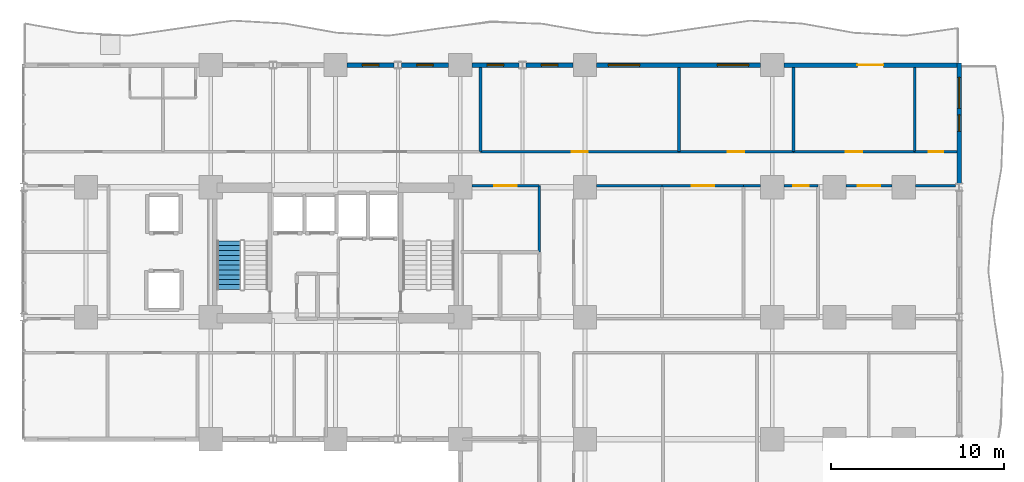
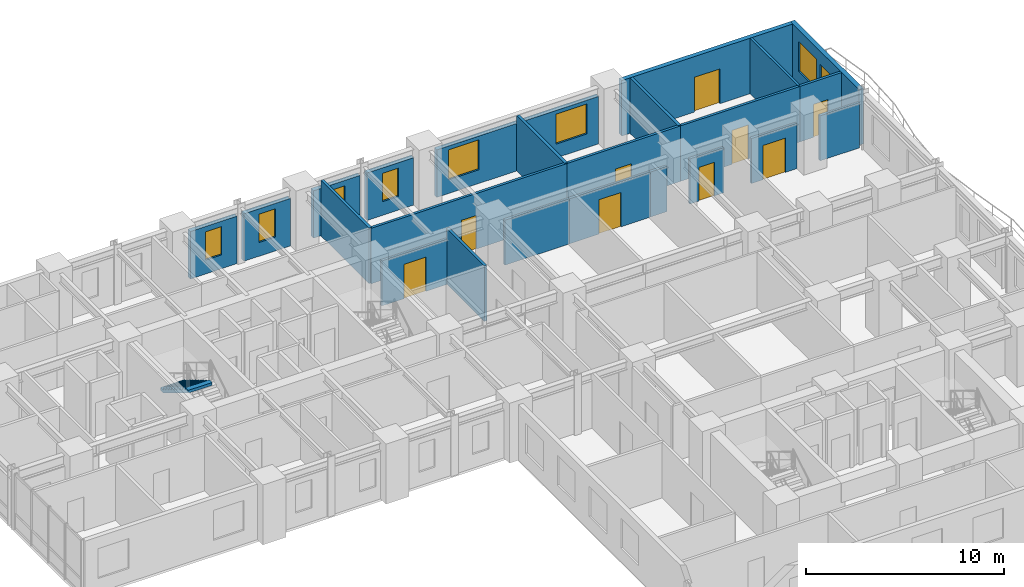
# One storey, part 15 of 19: 23 walls, 9 doors, 8 windows, 1 stair flight, 17 openings, 1 element without a shape of its own.
"""IFC4 building model written with IfcOpenShell, lengths in metres."""

from ifc_helpers import new_model, si_unit, direction, frame, frame_2d, origin, place, context, subcontext, project, spatial, polyline, rectangle, outline, extrude, material, layer, layer_set, type_object, element, fill, aggregate, save


model = new_model("IFC4")

# Units and contexts
model_context = context("Model", 3, precision=1e-05, world=origin(), true_north=direction((0.0, 1.0)))
body_context = subcontext(model_context, "Body", "Model", "MODEL_VIEW")
ifc_project = project(units=[si_unit("LENGTHUNIT", "METRE"), si_unit("AREAUNIT", "SQUARE_METRE"), si_unit("VOLUMEUNIT", "CUBIC_METRE"), si_unit("PLANEANGLEUNIT", "RADIAN"), si_unit("MASSUNIT", "GRAM", prefix="KILO")], contexts=[model_context])

# Site, building, storey
site_placement = place(None, origin())
site = spatial("IfcSite", under=ifc_project, at=site_placement, CompositionType="ELEMENT")
building_placement = place(site_placement, origin())
building = spatial("IfcBuilding", under=site, at=building_placement, Name="Kaliganga Portal Commons", CompositionType="ELEMENT")
storey_placement = place(building_placement, frame((0.0, 0.0, 47.5)))
storey = spatial("IfcBuildingStorey", under=building, at=storey_placement, Name="L11", CompositionType="ELEMENT", Elevation=47.5)

# Wall, openings, windows
ifc_material_1 = material(Name="Insulated Aluminium-Clad Spandrel Assembly", Category="aluminium")
ifc_layer_1 = layer(ifc_material_1, 0.260009765625)
ifc_layer_set_1 = layer_set([ifc_layer_1], Name="Insulated Aluminium-Clad Spandrel Assembly")
wall_type_1 = type_object("IfcWallType", Name="WL-EXT-SPAND-260", PredefinedType="STANDARD", material=ifc_layer_set_1)
wall_1_placement = place(storey_placement, frame((57.60009765625, 43.330078125, 0.0), z_axis=(0.0, 0.0, 1.0), x_axis=(0.0, -1.0, 0.0)))
wall_1 = element("IfcWall", 1, at=wall_1_placement, inside=storey, type_object=wall_type_1, Name="Exterior Envelope Wall L11 P1-E01-S6", PredefinedType="STANDARD", context=body_context, shape_type="SweptSolid", body=[
    extrude(rectangle(XDim=6.9560546875, YDim=0.260009765625, at=frame_2d((3.47802734375, 0.0))), origin(), (0.0, 0.0, 1.0), 3.429931640625),
])
opening_1_placement = place(wall_1_placement, frame((0.839111328125, 0.0, 0.85009765625)))
opening_1 = element("IfcOpeningElement", 2, at=opening_1_placement, cuts=wall_1, Name="Opening W-01", PredefinedType="OPENING", context=body_context, shape_type="SweptSolid", body=[
    extrude(rectangle(XDim=1.800048828125, YDim=1.85009765625, at=frame_2d((0.89990234375, 0.925048828125))), frame((0.0, 0.14013671875, 0.0), z_axis=(0.0, -1.0, 0.0), x_axis=(1.0, 0.0, 0.0)), (0.0, 0.0, 1.0), 0.280029296875),
])
opening_2_placement = place(wall_1_placement, frame((3.0029296875, 0.0, 0.85009765625)))
opening_2 = element("IfcOpeningElement", 3, at=opening_2_placement, cuts=wall_1, Name="Opening W-04", PredefinedType="OPENING", context=body_context, shape_type="SweptSolid", body=[
    extrude(rectangle(XDim=0.949951171875, YDim=1.75, at=frame_2d((0.47509765625, 0.875))), frame((0.0, 0.14013671875, 0.0), z_axis=(0.0, -1.0, 0.0), x_axis=(1.0, 0.0, 0.0)), (0.0, 0.0, 1.0), 0.280029296875),
])
ifc_material_2 = material(Name="Thermally Broken Aluminium and Low-E Double Glazing", Category="aluminium")
window_type_1 = type_object("IfcWindowType", Name="WIN-NARROW-950", PartitioningType="SINGLE_PANEL", PredefinedType="WINDOW", material=ifc_material_2)
window_1_placement = place(opening_2_placement, origin())
window_1 = element("IfcWindow", 4, at=window_1_placement, inside=storey, type_object=window_type_1, Name="Facade Window L11-P1E01S6-N0", OverallHeight=1.75, OverallWidth=0.949951171875, PartitioningType="SINGLE_PANEL", PredefinedType="WINDOW", context=body_context, shape_type="SweptSolid", body=[
    extrude(rectangle(XDim=0.949951171875, YDim=1.75, at=frame_2d((0.47509765625, 0.875))), frame((0.0, 0.030029296875, 0.0), z_axis=(0.0, -1.0, 0.0), x_axis=(1.0, 0.0, 0.0)), (0.0, 0.0, 1.0), 0.06005859375),
])
fill(opening_2, window_1)
window_type_2 = type_object("IfcWindowType", Name="WIN-STD-1800", PartitioningType="DOUBLE_PANEL_VERTICAL", PredefinedType="WINDOW", material=ifc_material_2)
window_2_placement = place(opening_1_placement, origin())
window_2 = element("IfcWindow", 5, at=window_2_placement, inside=storey, type_object=window_type_2, Name="Facade Window L11-P1E01S6-00", OverallHeight=1.85009765625, OverallWidth=1.800048828125, PartitioningType="SINGLE_PANEL", PredefinedType="WINDOW", context=body_context, shape_type="SweptSolid", body=[
    extrude(rectangle(XDim=1.800048828125, YDim=1.85009765625, at=frame_2d((0.89990234375, 0.925048828125))), frame((0.0, 0.030029296875, 0.0), z_axis=(0.0, -1.0, 0.0), x_axis=(1.0, 0.0, 0.0)), (0.0, 0.0, 1.0), 0.06005859375),
])
fill(opening_1, window_2)

# Wall, opening, door
wall_2_placement = place(storey_placement, frame((47.47607421875, 43.199951171875, 0.0), z_axis=(0.0, 0.0, 1.0), x_axis=(1.0, 0.0, 0.0)))
wall_2 = element("IfcWall", 6, at=wall_2_placement, inside=storey, type_object=wall_type_1, Name="Exterior Envelope Wall L11 P1-E02-S1", PredefinedType="STANDARD", context=body_context, shape_type="SweptSolid", body=[
    extrude(rectangle(XDim=9.989013671875, YDim=0.260009765625, at=frame_2d((4.99462890625, 0.0))), origin(), (0.0, 0.0, 1.0), 3.429931640625),
])
opening_3_placement = place(wall_2_placement, frame((4.2451171875, 0.0, 0.0)))
opening_3 = element("IfcOpeningElement", 7, at=opening_3_placement, cuts=wall_2, Name="Opening BD-01", PredefinedType="OPENING", context=body_context, shape_type="SweptSolid", body=[
    extrude(rectangle(XDim=1.5, YDim=2.14990234375, at=frame_2d((0.75, 1.074951171875))), frame((0.0, 0.14013671875, 0.0), z_axis=(0.0, -1.0, 0.0), x_axis=(1.0, 0.0, 0.0)), (0.0, 0.0, 1.0), 0.280029296875),
])
ifc_material_3 = material(Name="Anodized Aluminium and Laminated Safety Glass", Category="aluminium")
door_type_1 = type_object("IfcDoorType", Name="DR-BALC-1500", OperationType="SLIDING_TO_LEFT", PredefinedType="DOOR", material=ifc_material_3)
door_1_placement = place(opening_3_placement, origin())
door_1 = element("IfcDoor", 8, at=door_1_placement, inside=storey, type_object=door_type_1, Name="Balcony Sliding Door L11 balc_north", OperationType="SLIDING_TO_LEFT", OverallHeight=2.14990234375, OverallWidth=1.5, PredefinedType="DOOR", context=body_context, shape_type="SweptSolid", body=[
    extrude(rectangle(XDim=1.5, YDim=2.14990234375, at=frame_2d((0.75, 1.074951171875))), frame((0.0, 0.02490234375, 0.0), z_axis=(0.0, -1.0, 0.0), x_axis=(1.0, 0.0, 0.0)), (0.0, 0.0, 1.0), 0.050048828125),
])
fill(opening_3, door_1)

# Wall, openings, windows
wall_3_placement = place(storey_placement, frame((36.676025390625, 43.199951171875, 0.0), z_axis=(0.0, 0.0, 1.0), x_axis=(1.0, 0.0, 0.0)))
wall_3 = element("IfcWall", 9, at=wall_3_placement, inside=storey, type_object=wall_type_1, Name="Exterior Envelope Wall L11 P1-E02-S2", PredefinedType="STANDARD", context=body_context, shape_type="SweptSolid", body=[
    extrude(rectangle(XDim=9.447998046875, YDim=0.260009765625, at=frame_2d((4.72412109375, 0.0))), origin(), (0.0, 0.0, 1.0), 2.929931640625),
])
opening_4_placement = place(wall_3_placement, frame((0.6748046875, 0.0, 0.85009765625)))
opening_4 = element("IfcOpeningElement", 10, at=opening_4_placement, cuts=wall_3, Name="Opening W-01", PredefinedType="OPENING", context=body_context, shape_type="SweptSolid", body=[
    extrude(rectangle(XDim=1.800048828125, YDim=1.85009765625, at=frame_2d((0.89990234375, 0.925048828125))), frame((0.0, 0.14013671875, 0.0), z_axis=(0.0, -1.0, 0.0), x_axis=(1.0, 0.0, 0.0)), (0.0, 0.0, 1.0), 0.280029296875),
])
opening_5_placement = place(wall_3_placement, frame((6.973388671875, 0.0, 0.85009765625)))
opening_5 = element("IfcOpeningElement", 11, at=opening_5_placement, cuts=wall_3, Name="Opening W-01", PredefinedType="OPENING", context=body_context, shape_type="SweptSolid", body=[
    extrude(rectangle(XDim=1.800048828125, YDim=1.85009765625, at=frame_2d((0.89990234375, 0.925048828125))), frame((0.0, 0.14013671875, 0.0), z_axis=(0.0, -1.0, 0.0), x_axis=(1.0, 0.0, 0.0)), (0.0, 0.0, 1.0), 0.280029296875),
])
window_3_placement = place(opening_4_placement, origin())
window_3 = element("IfcWindow", 12, at=window_3_placement, inside=storey, type_object=window_type_2, Name="Facade Window L11-P1E02S2-00", OverallHeight=1.85009765625, OverallWidth=1.800048828125, PartitioningType="SINGLE_PANEL", PredefinedType="WINDOW", context=body_context, shape_type="SweptSolid", body=[
    extrude(rectangle(XDim=1.800048828125, YDim=1.85009765625, at=frame_2d((0.89990234375, 0.925048828125))), frame((0.0, 0.030029296875, 0.0), z_axis=(0.0, -1.0, 0.0), x_axis=(1.0, 0.0, 0.0)), (0.0, 0.0, 1.0), 0.06005859375),
])
fill(opening_4, window_3)
window_4_placement = place(opening_5_placement, origin())
window_4 = element("IfcWindow", 13, at=window_4_placement, inside=storey, type_object=window_type_2, Name="Facade Window L11-P1E02S2-02", OverallHeight=1.85009765625, OverallWidth=1.800048828125, PartitioningType="SINGLE_PANEL", PredefinedType="WINDOW", context=body_context, shape_type="SweptSolid", body=[
    extrude(rectangle(XDim=1.800048828125, YDim=1.85009765625, at=frame_2d((0.89990234375, 0.925048828125))), frame((0.0, 0.030029296875, 0.0), z_axis=(0.0, -1.0, 0.0), x_axis=(1.0, 0.0, 0.0)), (0.0, 0.0, 1.0), 0.06005859375),
])
fill(opening_5, window_4)

# Wall, opening, window
wall_4_placement = place(storey_placement, frame((32.60888671875, 43.199951171875, 0.0), z_axis=(0.0, 0.0, 1.0), x_axis=(1.0, 0.0, 0.0)))
wall_4 = element("IfcWall", 14, at=wall_4_placement, inside=storey, type_object=wall_type_1, Name="Exterior Envelope Wall L11 P1-E02-S3", PredefinedType="STANDARD", context=body_context, shape_type="SweptSolid", body=[
    extrude(rectangle(XDim=2.715087890625, YDim=0.260009765625, at=frame_2d((1.357421875, 0.0))), origin(), (0.0, 0.0, 1.0), 2.929931640625),
])
opening_6_placement = place(wall_4_placement, frame((0.882568359375, 0.0, 0.85009765625)))
opening_6 = element("IfcOpeningElement", 15, at=opening_6_placement, cuts=wall_4, Name="Opening W-04", PredefinedType="OPENING", context=body_context, shape_type="SweptSolid", body=[
    extrude(rectangle(XDim=0.949951171875, YDim=1.75, at=frame_2d((0.47509765625, 0.875))), frame((0.0, 0.14013671875, 0.0), z_axis=(0.0, -1.0, 0.0), x_axis=(1.0, 0.0, 0.0)), (0.0, 0.0, 1.0), 0.280029296875),
])
window_5_placement = place(opening_6_placement, origin())
window_5 = element("IfcWindow", 16, at=window_5_placement, inside=storey, type_object=window_type_1, Name="Facade Window L11-P1E02S3-00", OverallHeight=1.75, OverallWidth=0.949951171875, PartitioningType="SINGLE_PANEL", PredefinedType="WINDOW", context=body_context, shape_type="SweptSolid", body=[
    extrude(rectangle(XDim=0.949951171875, YDim=1.75, at=frame_2d((0.47509765625, 0.875))), frame((0.0, 0.030029296875, 0.0), z_axis=(0.0, -1.0, 0.0), x_axis=(1.0, 0.0, 0.0)), (0.0, 0.0, 1.0), 0.06005859375),
])
fill(opening_6, window_5)

wall_5_placement = place(storey_placement, frame((29.47607421875, 43.199951171875, 0.0), z_axis=(0.0, 0.0, 1.0), x_axis=(1.0, 0.0, 0.0)))
wall_5 = element("IfcWall", 17, at=wall_5_placement, inside=storey, type_object=wall_type_1, Name="Exterior Envelope Wall L11 P1-E02-S4", PredefinedType="STANDARD", context=body_context, shape_type="SweptSolid", body=[
    extrude(rectangle(XDim=2.71484375, YDim=0.260009765625, at=frame_2d((1.357421875, 0.0))), origin(), (0.0, 0.0, 1.0), 2.929931640625),
])
opening_7_placement = place(wall_5_placement, frame((0.882568359375, 0.0, 0.85009765625)))
opening_7 = element("IfcOpeningElement", 18, at=opening_7_placement, cuts=wall_5, Name="Opening W-04", PredefinedType="OPENING", context=body_context, shape_type="SweptSolid", body=[
    extrude(rectangle(XDim=0.949951171875, YDim=1.75, at=frame_2d((0.47509765625, 0.875))), frame((0.0, 0.14013671875, 0.0), z_axis=(0.0, -1.0, 0.0), x_axis=(1.0, 0.0, 0.0)), (0.0, 0.0, 1.0), 0.280029296875),
])
window_6_placement = place(opening_7_placement, origin())
window_6 = element("IfcWindow", 19, at=window_6_placement, inside=storey, type_object=window_type_1, Name="Facade Window L11-P1E02S4-00", OverallHeight=1.75, OverallWidth=0.949951171875, PartitioningType="SINGLE_PANEL", PredefinedType="WINDOW", context=body_context, shape_type="SweptSolid", body=[
    extrude(rectangle(XDim=0.949951171875, YDim=1.75, at=frame_2d((0.47509765625, 0.875))), frame((0.0, 0.030029296875, 0.0), z_axis=(0.0, -1.0, 0.0), x_axis=(1.0, 0.0, 0.0)), (0.0, 0.0, 1.0), 0.06005859375),
])
fill(opening_7, window_6)

wall_6_placement = place(storey_placement, frame((25.408935546875, 43.199951171875, 0.0), z_axis=(0.0, 0.0, 1.0), x_axis=(1.0, 0.0, 0.0)))
wall_6 = element("IfcWall", 20, at=wall_6_placement, inside=storey, type_object=wall_type_1, Name="Exterior Envelope Wall L11 P1-E02-S5", PredefinedType="STANDARD", context=body_context, shape_type="SweptSolid", body=[
    extrude(rectangle(XDim=2.715087890625, YDim=0.260009765625, at=frame_2d((1.357421875, 0.0))), origin(), (0.0, 0.0, 1.0), 2.929931640625),
])
opening_8_placement = place(wall_6_placement, frame((0.882568359375, 0.0, 0.85009765625)))
opening_8 = element("IfcOpeningElement", 21, at=opening_8_placement, cuts=wall_6, Name="Opening W-04", PredefinedType="OPENING", context=body_context, shape_type="SweptSolid", body=[
    extrude(rectangle(XDim=0.949951171875, YDim=1.75, at=frame_2d((0.47509765625, 0.875))), frame((0.0, 0.14013671875, 0.0), z_axis=(0.0, -1.0, 0.0), x_axis=(1.0, 0.0, 0.0)), (0.0, 0.0, 1.0), 0.280029296875),
])
window_7_placement = place(opening_8_placement, origin())
window_7 = element("IfcWindow", 22, at=window_7_placement, inside=storey, type_object=window_type_1, Name="Facade Window L11-P1E02S5-00", OverallHeight=1.75, OverallWidth=0.949951171875, PartitioningType="SINGLE_PANEL", PredefinedType="WINDOW", context=body_context, shape_type="SweptSolid", body=[
    extrude(rectangle(XDim=0.949951171875, YDim=1.75, at=frame_2d((0.47509765625, 0.875))), frame((0.0, 0.030029296875, 0.0), z_axis=(0.0, -1.0, 0.0), x_axis=(1.0, 0.0, 0.0)), (0.0, 0.0, 1.0), 0.06005859375),
])
fill(opening_8, window_7)

wall_7_placement = place(storey_placement, frame((22.27587890625, 43.199951171875, 0.0), z_axis=(0.0, 0.0, 1.0), x_axis=(1.0, 0.0, 0.0)))
wall_7 = element("IfcWall", 23, at=wall_7_placement, inside=storey, type_object=wall_type_1, Name="Exterior Envelope Wall L11 P1-E02-S6", PredefinedType="STANDARD", context=body_context, shape_type="SweptSolid", body=[
    extrude(rectangle(XDim=2.715087890625, YDim=0.260009765625, at=frame_2d((1.357421875, 0.0))), origin(), (0.0, 0.0, 1.0), 2.929931640625),
])
opening_9_placement = place(wall_7_placement, frame((0.882568359375, 0.0, 0.85009765625)))
opening_9 = element("IfcOpeningElement", 24, at=opening_9_placement, cuts=wall_7, Name="Opening W-04", PredefinedType="OPENING", context=body_context, shape_type="SweptSolid", body=[
    extrude(rectangle(XDim=0.949951171875, YDim=1.75, at=frame_2d((0.47509765625, 0.875))), frame((0.0, 0.14013671875, 0.0), z_axis=(0.0, -1.0, 0.0), x_axis=(1.0, 0.0, 0.0)), (0.0, 0.0, 1.0), 0.280029296875),
])
window_8_placement = place(opening_9_placement, origin())
window_8 = element("IfcWindow", 25, at=window_8_placement, inside=storey, type_object=window_type_1, Name="Facade Window L11-P1E02S6-00", OverallHeight=1.75, OverallWidth=0.949951171875, PartitioningType="SINGLE_PANEL", PredefinedType="WINDOW", context=body_context, shape_type="SweptSolid", body=[
    extrude(rectangle(XDim=0.949951171875, YDim=1.75, at=frame_2d((0.47509765625, 0.875))), frame((0.0, 0.030029296875, 0.0), z_axis=(0.0, -1.0, 0.0), x_axis=(1.0, 0.0, 0.0)), (0.0, 0.0, 1.0), 0.06005859375),
])
fill(opening_9, window_8)

# Wall, opening, door
ifc_material_4 = material(Name="Fire-Rated Gypsum Board on Steel Stud", Category="steel")
ifc_layer_2 = layer(ifc_material_4, 0.14990234375)
ifc_layer_set_2 = layer_set([ifc_layer_2], Name="Fire-Rated Gypsum Board on Steel Stud")
wall_type_2 = type_object("IfcWallType", Name="WL-PART-CORR-150", PredefinedType="PARTITIONING", material=ifc_layer_set_2)
wall_8_placement = place(storey_placement, frame((29.97998046875, 38.199951171875, 0.0), z_axis=(0.0, 0.0, 1.0), x_axis=(1.0, 0.0, 0.0)))
wall_8 = element("IfcWall", 26, at=wall_8_placement, inside=storey, type_object=wall_type_2, Name="Interior Partition L11-007", PredefinedType="PARTITIONING", context=body_context, shape_type="SweptSolid", body=[
    extrude(rectangle(XDim=11.43994140625, YDim=0.14990234375, at=frame_2d((5.719970703125, 0.0))), origin(), (0.0, 0.0, 1.0), 3.429931640625),
])
opening_10_placement = place(wall_8_placement, frame((5.27001953125, 0.0, 0.0)))
opening_10 = element("IfcOpeningElement", 27, at=opening_10_placement, cuts=wall_8, Name="Opening RD-01", PredefinedType="OPENING", context=body_context, shape_type="SweptSolid", body=[
    extrude(rectangle(XDim=0.89990234375, YDim=2.080078125, at=frame_2d((0.449951171875, 1.0400390625))), frame((0.0, 0.0849609375, 0.0), z_axis=(0.0, -1.0, 0.0), x_axis=(1.0, 0.0, 0.0)), (0.0, 0.0, 1.0), 0.169921875),
])
ifc_material_5 = material(Name="Engineered Timber Flush Door", Category="wood")
door_type_2 = type_object("IfcDoorType", Name="DR-ROOM-900", OperationType="NOTDEFINED", PredefinedType="DOOR", material=ifc_material_5)
door_2_placement = place(opening_10_placement, origin())
door_2 = element("IfcDoor", 28, at=door_2_placement, inside=storey, type_object=door_type_2, Name="Interior Door L11-AN04", OperationType="SINGLE_SWING_RIGHT", OverallHeight=2.080078125, OverallWidth=0.89990234375, PredefinedType="DOOR", context=body_context, shape_type="SweptSolid", body=[
    extrude(rectangle(XDim=0.89990234375, YDim=2.080078125, at=frame_2d((0.449951171875, 1.0400390625))), frame((0.0, 0.02490234375, 0.0), z_axis=(0.0, -1.0, 0.0), x_axis=(1.0, 0.0, 0.0)), (0.0, 0.0, 1.0), 0.050048828125),
])
fill(opening_10, door_2)

wall_9_placement = place(storey_placement, frame((51.074951171875, 36.239990234375, 0.0), z_axis=(0.0, 0.0, 1.0), x_axis=(1.0, 0.0, 0.0)))
wall_9 = element("IfcWall", 29, at=wall_9_placement, inside=storey, type_object=wall_type_2, Name="Interior Partition L11-015", PredefinedType="PARTITIONING", context=body_context, shape_type="SweptSolid", body=[
    extrude(rectangle(XDim=2.650146484375, YDim=0.14990234375, at=frame_2d((1.3251953125, 0.0))), origin(), (0.0, 0.0, 1.0), 2.780029296875),
])
opening_11_placement = place(wall_9_placement, frame((0.675048828125, 0.0, 0.0)))
opening_11 = element("IfcOpeningElement", 30, at=opening_11_placement, cuts=wall_9, Name="Opening RD-03", PredefinedType="OPENING", context=body_context, shape_type="SweptSolid", body=[
    extrude(rectangle(XDim=1.300048828125, YDim=2.1201171875, at=frame_2d((0.64990234375, 1.06005859375))), frame((0.0, 0.0849609375, 0.0), z_axis=(0.0, -1.0, 0.0), x_axis=(1.0, 0.0, 0.0)), (0.0, 0.0, 1.0), 0.169921875),
])
ifc_material_6 = material(Name="Glazed Timber Seminar Vision Door", Category="wood")
door_type_3 = type_object("IfcDoorType", Name="DR-STUDY-1300", OperationType="DOUBLE_DOOR_SINGLE_SWING", PredefinedType="DOOR", material=ifc_material_6)
door_3_placement = place(opening_11_placement, origin())
door_3 = element("IfcDoor", 31, at=door_3_placement, inside=storey, type_object=door_type_3, Name="Interior Door L11-BK04", OperationType="DOUBLE_DOOR_SINGLE_SWING", OverallHeight=2.1201171875, OverallWidth=1.300048828125, PredefinedType="DOOR", context=body_context, shape_type="SweptSolid", body=[
    extrude(rectangle(XDim=1.300048828125, YDim=2.1201171875, at=frame_2d((0.64990234375, 1.06005859375))), frame((0.0, 0.02490234375, 0.0), z_axis=(0.0, -1.0, 0.0), x_axis=(1.0, 0.0, 0.0)), (0.0, 0.0, 1.0), 0.050048828125),
])
fill(opening_11, door_3)

# Wall
wall_10_placement = place(storey_placement, frame((55.074951171875, 36.239990234375, 0.0), z_axis=(0.0, 0.0, 1.0), x_axis=(1.0, 0.0, 0.0)))
element("IfcWall", 32, at=wall_10_placement, inside=storey, type_object=wall_type_2, Name="Interior Partition L11-016", PredefinedType="PARTITIONING", context=body_context, shape_type="SweptSolid", body=[
    extrude(rectangle(XDim=2.317138671875, YDim=0.14990234375, at=frame_2d((1.15869140625, 0.0))), origin(), (0.0, 0.0, 1.0), 2.780029296875),
])

# Wall, opening, door
wall_11_placement = place(storey_placement, frame((48.0400390625, 38.199951171875, 0.0), z_axis=(0.0, 0.0, 1.0), x_axis=(1.0, 0.0, 0.0)))
wall_11 = element("IfcWall", 33, at=wall_11_placement, inside=storey, type_object=wall_type_2, Name="Interior Partition L11-025", PredefinedType="PARTITIONING", context=body_context, shape_type="SweptSolid", body=[
    extrude(rectangle(XDim=7.0, YDim=0.14990234375, at=frame_2d((3.5, 0.0))), origin(), (0.0, 0.0, 1.0), 3.429931640625),
])
opening_12_placement = place(wall_11_placement, frame((3.02490234375, 0.0, 0.0)))
opening_12 = element("IfcOpeningElement", 34, at=opening_12_placement, cuts=wall_11, Name="Opening UD-01", PredefinedType="OPENING", context=body_context, shape_type="SweptSolid", body=[
    extrude(rectangle(XDim=0.949951171875, YDim=2.10009765625, at=frame_2d((0.47509765625, 1.050048828125))), frame((0.0, 0.0849609375, 0.0), z_axis=(0.0, -1.0, 0.0), x_axis=(1.0, 0.0, 0.0)), (0.0, 0.0, 1.0), 0.169921875),
])
ifc_material_7 = material(Name="Solid-Core Timber Acoustic Fire Door", Category="wood")
door_type_4 = type_object("IfcDoorType", Name="DR-UNIT-950", OperationType="NOTDEFINED", PredefinedType="DOOR", material=ifc_material_7)
door_4_placement = place(opening_12_placement, origin())
door_4 = element("IfcDoor", 35, at=door_4_placement, inside=storey, type_object=door_type_4, Name="Interior Door L11-AN06", OperationType="SINGLE_SWING_LEFT", OverallHeight=2.10009765625, OverallWidth=0.949951171875, PredefinedType="DOOR", context=body_context, shape_type="SweptSolid", body=[
    extrude(rectangle(XDim=0.949951171875, YDim=2.10009765625, at=frame_2d((0.47509765625, 1.050048828125))), frame((0.0, 0.02490234375, 0.0), z_axis=(0.0, -1.0, 0.0), x_axis=(1.0, 0.0, 0.0)), (0.0, 0.0, 1.0), 0.050048828125),
])
fill(opening_12, door_4)

wall_12_placement = place(storey_placement, frame((41.419921875, 38.199951171875, 0.0), z_axis=(0.0, 0.0, 1.0), x_axis=(1.0, 0.0, 0.0)))
wall_12 = element("IfcWall", 36, at=wall_12_placement, inside=storey, type_object=wall_type_2, Name="Interior Partition L11-026", PredefinedType="PARTITIONING", context=body_context, shape_type="SweptSolid", body=[
    extrude(rectangle(XDim=6.6201171875, YDim=0.14990234375, at=frame_2d((3.31005859375, 0.0))), origin(), (0.0, 0.0, 1.0), 3.429931640625),
])
opening_13_placement = place(wall_12_placement, frame((2.8349609375, 0.0, 0.0)))
opening_13 = element("IfcOpeningElement", 37, at=opening_13_placement, cuts=wall_12, Name="Opening UD-01", PredefinedType="OPENING", context=body_context, shape_type="SweptSolid", body=[
    extrude(rectangle(XDim=0.949951171875, YDim=2.10009765625, at=frame_2d((0.47509765625, 1.050048828125))), frame((0.0, 0.0849609375, 0.0), z_axis=(0.0, -1.0, 0.0), x_axis=(1.0, 0.0, 0.0)), (0.0, 0.0, 1.0), 0.169921875),
])
door_5_placement = place(opening_13_placement, origin())
door_5 = element("IfcDoor", 38, at=door_5_placement, inside=storey, type_object=door_type_4, Name="Interior Door L11-AN05", OperationType="SINGLE_SWING_RIGHT", OverallHeight=2.10009765625, OverallWidth=0.949951171875, PredefinedType="DOOR", context=body_context, shape_type="SweptSolid", body=[
    extrude(rectangle(XDim=0.949951171875, YDim=2.10009765625, at=frame_2d((0.47509765625, 1.050048828125))), frame((0.0, 0.02490234375, 0.0), z_axis=(0.0, -1.0, 0.0), x_axis=(1.0, 0.0, 0.0)), (0.0, 0.0, 1.0), 0.050048828125),
])
fill(opening_13, door_5)

# Wall
wall_13_placement = place(storey_placement, frame((36.675048828125, 36.239990234375, 0.0), z_axis=(0.0, 0.0, 1.0), x_axis=(1.0, 0.0, 0.0)))
element("IfcWall", 39, at=wall_13_placement, inside=storey, type_object=wall_type_2, Name="Interior Partition L11-033", PredefinedType="PARTITIONING", context=body_context, shape_type="SweptSolid", body=[
    extrude(rectangle(XDim=3.764892578125, YDim=0.14990234375, at=frame_2d((1.88232421875, 0.0))), origin(), (0.0, 0.0, 1.0), 2.780029296875),
])

# Wall, opening, door
wall_14_placement = place(storey_placement, frame((40.43994140625, 36.239990234375, 0.0), z_axis=(0.0, 0.0, 1.0), x_axis=(1.0, 0.0, 0.0)))
wall_14 = element("IfcWall", 40, at=wall_14_placement, inside=storey, type_object=wall_type_2, Name="Interior Partition L11-040", PredefinedType="PARTITIONING", context=body_context, shape_type="SweptSolid", body=[
    extrude(rectangle(XDim=4.719970703125, YDim=0.14990234375, at=frame_2d((2.35986328125, 0.0))), origin(), (0.0, 0.0, 1.0), 2.780029296875),
])
opening_14_placement = place(wall_14_placement, frame((1.7099609375, 0.0, 0.0)))
opening_14 = element("IfcOpeningElement", 41, at=opening_14_placement, cuts=wall_14, Name="Opening RD-03", PredefinedType="OPENING", context=body_context, shape_type="SweptSolid", body=[
    extrude(rectangle(XDim=1.300048828125, YDim=2.1201171875, at=frame_2d((0.64990234375, 1.06005859375))), frame((0.0, 0.0849609375, 0.0), z_axis=(0.0, -1.0, 0.0), x_axis=(1.0, 0.0, 0.0)), (0.0, 0.0, 1.0), 0.169921875),
])
door_6_placement = place(opening_14_placement, origin())
door_6 = element("IfcDoor", 42, at=door_6_placement, inside=storey, type_object=door_type_3, Name="Interior Door L11-BK02", OperationType="DOUBLE_DOOR_SINGLE_SWING", OverallHeight=2.1201171875, OverallWidth=1.300048828125, PredefinedType="DOOR", context=body_context, shape_type="SweptSolid", body=[
    extrude(rectangle(XDim=1.300048828125, YDim=2.1201171875, at=frame_2d((0.64990234375, 1.06005859375))), frame((0.0, 0.02490234375, 0.0), z_axis=(0.0, -1.0, 0.0), x_axis=(1.0, 0.0, 0.0)), (0.0, 0.0, 1.0), 0.050048828125),
])
fill(opening_14, door_6)

wall_15_placement = place(storey_placement, frame((29.47509765625, 36.239990234375, 0.0), z_axis=(0.0, 0.0, 1.0), x_axis=(1.0, 0.0, 0.0)))
wall_15 = element("IfcWall", 43, at=wall_15_placement, inside=storey, type_object=wall_type_2, Name="Interior Partition L11-042", PredefinedType="PARTITIONING", context=body_context, shape_type="SweptSolid", body=[
    extrude(rectangle(XDim=3.885009765625, YDim=0.14990234375, at=frame_2d((1.9423828125, 0.0))), origin(), (0.0, 0.0, 1.0), 2.780029296875),
])
opening_15_placement = place(wall_15_placement, frame((1.29248046875, 0.0, 0.0)))
opening_15 = element("IfcOpeningElement", 44, at=opening_15_placement, cuts=wall_15, Name="Opening RD-03", PredefinedType="OPENING", context=body_context, shape_type="SweptSolid", body=[
    extrude(rectangle(XDim=1.300048828125, YDim=2.1201171875, at=frame_2d((0.64990234375, 1.06005859375))), frame((0.0, 0.0849609375, 0.0), z_axis=(0.0, -1.0, 0.0), x_axis=(1.0, 0.0, 0.0)), (0.0, 0.0, 1.0), 0.169921875),
])
door_7_placement = place(opening_15_placement, origin())
door_7 = element("IfcDoor", 45, at=door_7_placement, inside=storey, type_object=door_type_3, Name="Interior Door L11-CSRV_A2", OperationType="DOUBLE_DOOR_SINGLE_SWING", OverallHeight=2.1201171875, OverallWidth=1.300048828125, PredefinedType="DOOR", context=body_context, shape_type="SweptSolid", body=[
    extrude(rectangle(XDim=1.300048828125, YDim=2.1201171875, at=frame_2d((0.64990234375, 1.06005859375))), frame((0.0, 0.02490234375, 0.0), z_axis=(0.0, -1.0, 0.0), x_axis=(1.0, 0.0, 0.0)), (0.0, 0.0, 1.0), 0.050048828125),
])
fill(opening_15, door_7)

# Wall
wall_16_placement = place(storey_placement, frame((45.159912109375, 36.239990234375, 0.0), z_axis=(0.0, 0.0, 1.0), x_axis=(1.0, 0.0, 0.0)))
element("IfcWall", 46, at=wall_16_placement, inside=storey, type_object=wall_type_2, Name="Interior Partition L11-043", PredefinedType="PARTITIONING", context=body_context, shape_type="SweptSolid", body=[
    extrude(rectangle(XDim=0.965087890625, YDim=0.14990234375, at=frame_2d((0.482421875, 0.0))), origin(), (0.0, 0.0, 1.0), 2.780029296875),
])

# Wall, opening, door
wall_17_placement = place(storey_placement, frame((47.47509765625, 36.239990234375, 0.0), z_axis=(0.0, 0.0, 1.0), x_axis=(1.0, 0.0, 0.0)))
wall_17 = element("IfcWall", 47, at=wall_17_placement, inside=storey, type_object=wall_type_2, Name="Interior Partition L11-044", PredefinedType="PARTITIONING", context=body_context, shape_type="SweptSolid", body=[
    extrude(rectangle(XDim=1.98486328125, YDim=0.14990234375, at=frame_2d((0.992431640625, 0.0))), origin(), (0.0, 0.0, 1.0), 2.780029296875),
])
opening_16_placement = place(wall_17_placement, frame((0.54248046875, 0.0, 0.0)))
opening_16 = element("IfcOpeningElement", 48, at=opening_16_placement, cuts=wall_17, Name="Opening RD-01", PredefinedType="OPENING", context=body_context, shape_type="SweptSolid", body=[
    extrude(rectangle(XDim=0.89990234375, YDim=2.080078125, at=frame_2d((0.449951171875, 1.0400390625))), frame((0.0, 0.0849609375, 0.0), z_axis=(0.0, -1.0, 0.0), x_axis=(1.0, 0.0, 0.0)), (0.0, 0.0, 1.0), 0.169921875),
])
door_8_placement = place(opening_16_placement, origin())
door_8 = element("IfcDoor", 49, at=door_8_placement, inside=storey, type_object=door_type_2, Name="Interior Door L11-BK03", OperationType="SINGLE_SWING_RIGHT", OverallHeight=2.080078125, OverallWidth=0.89990234375, PredefinedType="DOOR", context=body_context, shape_type="SweptSolid", body=[
    extrude(rectangle(XDim=0.89990234375, YDim=2.080078125, at=frame_2d((0.449951171875, 1.0400390625))), frame((0.0, 0.02490234375, 0.0), z_axis=(0.0, -1.0, 0.0), x_axis=(1.0, 0.0, 0.0)), (0.0, 0.0, 1.0), 0.050048828125),
])
fill(opening_16, door_8)

# Wall
wall_18_placement = place(storey_placement, frame((33.360107421875, 32.39990234375, 0.0), z_axis=(0.0, 0.0, 1.0), x_axis=(0.0, 1.0, 0.0)))
element("IfcWall", 50, at=wall_18_placement, inside=storey, type_object=wall_type_2, Name="Interior Partition L11-046", PredefinedType="PARTITIONING", context=body_context, shape_type="SweptSolid", body=[
    extrude(rectangle(XDim=3.840087890625, YDim=0.14990234375, at=frame_2d((1.919921875, 0.0))), origin(), (0.0, 0.0, 1.0), 3.429931640625),
])

# Wall, opening, door
wall_19_placement = place(storey_placement, frame((55.0400390625, 38.199951171875, 0.0), z_axis=(0.0, 0.0, 1.0), x_axis=(1.0, 0.0, 0.0)))
wall_19 = element("IfcWall", 51, at=wall_19_placement, inside=storey, type_object=wall_type_2, Name="Interior Partition L11-051", PredefinedType="PARTITIONING", context=body_context, shape_type="SweptSolid", body=[
    extrude(rectangle(XDim=2.427978515625, YDim=0.14990234375, at=frame_2d((1.2138671875, 0.0))), origin(), (0.0, 0.0, 1.0), 3.429931640625),
])
opening_17_placement = place(wall_19_placement, frame((0.7890625, 0.0, 0.0)))
opening_17 = element("IfcOpeningElement", 52, at=opening_17_placement, cuts=wall_19, Name="Opening WD-01", PredefinedType="OPENING", context=body_context, shape_type="SweptSolid", body=[
    extrude(rectangle(XDim=0.85009765625, YDim=2.0400390625, at=frame_2d((0.425048828125, 1.02001953125))), frame((0.0, 0.0849609375, 0.0), z_axis=(0.0, -1.0, 0.0), x_axis=(1.0, 0.0, 0.0)), (0.0, 0.0, 1.0), 0.169921875),
])
ifc_material_8 = material(Name="Moisture-Resistant Laminate Timber Door", Category="wood")
door_type_5 = type_object("IfcDoorType", Name="DR-WET-850", OperationType="NOTDEFINED", PredefinedType="DOOR", material=ifc_material_8)
door_9_placement = place(opening_17_placement, origin())
door_9 = element("IfcDoor", 53, at=door_9_placement, inside=storey, type_object=door_type_5, Name="Interior Door L11-AN07", OperationType="SINGLE_SWING_RIGHT", OverallHeight=2.0400390625, OverallWidth=0.85009765625, PredefinedType="DOOR", context=body_context, shape_type="SweptSolid", body=[
    extrude(rectangle(XDim=0.85009765625, YDim=2.0400390625, at=frame_2d((0.425048828125, 1.02001953125))), frame((0.0, 0.02490234375, 0.0), z_axis=(0.0, -1.0, 0.0), x_axis=(1.0, 0.0, 0.0)), (0.0, 0.0, 1.0), 0.050048828125),
])
fill(opening_17, door_9)

# Walls
ifc_material_9 = material(Name="Twin-Stud Acoustic Gypsum Partition", Category="gypsum")
ifc_layer_3 = layer(ifc_material_9, 0.1650390625)
ifc_layer_set_3 = layer_set([ifc_layer_3], Name="Twin-Stud Acoustic Gypsum Partition")
wall_type_3 = type_object("IfcWallType", Name="WL-PART-UNIT-165", PredefinedType="PARTITIONING", material=ifc_layer_set_3)
for number, where, z_axis, x_axis, name in (
    (54, (29.97998046875, 38.199951171875, 0.0), (0.0, 0.0, 1.0), (0.0, 1.0, 0.0), "Interior Partition L11-077"),
    (55, (41.419921875, 38.199951171875, 0.0), (0.0, 0.0, 1.0), (0.0, 1.0, 0.0), "Interior Partition L11-078"),
    (56, (48.0400390625, 38.199951171875, 0.0), (0.0, 0.0, 1.0), (0.0, 1.0, 0.0), "Interior Partition L11-079"),
):
    element("IfcWall", number, at=place(storey_placement, frame(where, z_axis=z_axis, x_axis=x_axis)), inside=storey, type_object=wall_type_3, Name=name, PredefinedType="PARTITIONING", context=body_context, shape_type="SweptSolid", body=[
        extrude(rectangle(XDim=4.8681640625, YDim=0.1650390625, at=frame_2d((2.43408203125, 0.0))), origin(), (0.0, 0.0, 1.0), 3.429931640625),
    ])
ifc_material_10 = material(Name="Cement-Board Wet-Room Partition", Category="gypsum")
ifc_layer_4 = layer(ifc_material_10, 0.135009765625)
ifc_layer_set_4 = layer_set([ifc_layer_4], Name="Cement-Board Wet-Room Partition")
wall_type_4 = type_object("IfcWallType", Name="WL-PART-WET-135", PredefinedType="PARTITIONING", material=ifc_layer_set_4)
wall_20_placement = place(storey_placement, frame((55.0400390625, 38.199951171875, 0.0), z_axis=(0.0, 0.0, 1.0), x_axis=(0.0, 1.0, 0.0)))
element("IfcWall", 57, at=wall_20_placement, inside=storey, type_object=wall_type_4, Name="Interior Partition L11-080", PredefinedType="PARTITIONING", context=body_context, shape_type="SweptSolid", body=[
    extrude(rectangle(XDim=4.8681640625, YDim=0.135009765625, at=frame_2d((2.43408203125, 0.0))), origin(), (0.0, 0.0, 1.0), 3.429931640625),
])

# Stair, stair flight
ifc_material_11 = material(Name="Concrete C40/50", Category="concrete")
stair_type = type_object("IfcStairType", Name="ST-CORE-DOGLEG", PredefinedType="HALF_TURN_STAIR", material=ifc_material_11)
stair_placement = place(storey_placement, origin())
stair = element("IfcStair", 58, at=stair_placement, inside=storey, type_object=stair_type, Name="L11 Protected Exit Stair ST-A1", PredefinedType="HALF_TURN_STAIR")
stair_flight_type = type_object("IfcStairFlightType", Name="STF-RC-1400", PredefinedType="STRAIGHT", material=ifc_material_11)
stair_flight_placement = place(storey_placement, frame((15.449951171875, 33.050048828125, 1.85009765625), z_axis=(0.0, 0.0, 1.0), x_axis=(0.0, -1.0, 0.0)))
stair_flight = element("IfcStairFlight", 59, at=stair_flight_placement, type_object=stair_flight_type, Name="ST-A1 flight 2", NumberOfRisers=11, NumberOfTreads=10, PredefinedType="STRAIGHT", RiserHeight=0.168181818, TreadLength=0.28, context=body_context, shape_type="SweptSolid", body=[
    extrude(outline(polyline([(0.0, 0.0), (0.0, 0.168212890625), (0.280029296875, 0.168212890625), (0.280029296875, 0.33642578125), (0.56005859375, 0.33642578125), (0.56005859375, 0.504638671875), (0.840087890625, 0.504638671875), (0.840087890625, 0.672607421875), (1.1201171875, 0.672607421875), (1.1201171875, 0.8408203125), (1.39990234375, 0.8408203125), (1.39990234375, 1.009033203125), (1.679931640625, 1.009033203125), (1.679931640625, 1.17724609375), (1.9599609375, 1.17724609375), (1.9599609375, 1.345458984375), (2.239990234375, 1.345458984375), (2.239990234375, 1.513671875), (2.52001953125, 1.513671875), (2.52001953125, 1.681884765625), (2.800048828125, 1.681884765625), (2.800048828125, 1.85009765625), (2.800048828125, 1.5068359375), (0.291015625, 0.0), (0.0, 0.0)])), frame((0.0, 0.699951171875, 0.0), z_axis=(0.0, -1.0, 0.0), x_axis=(1.0, 0.0, 0.0)), (0.0, 0.0, 1.0), 1.39990234375),
])
aggregate(stair, [stair_flight])

save(model, "model.ifc")
